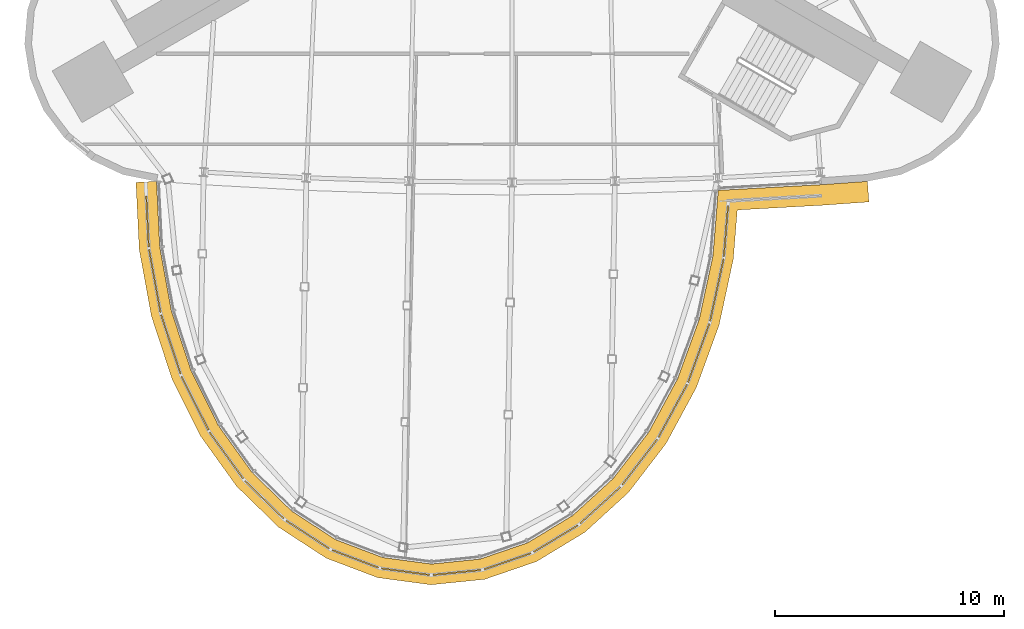
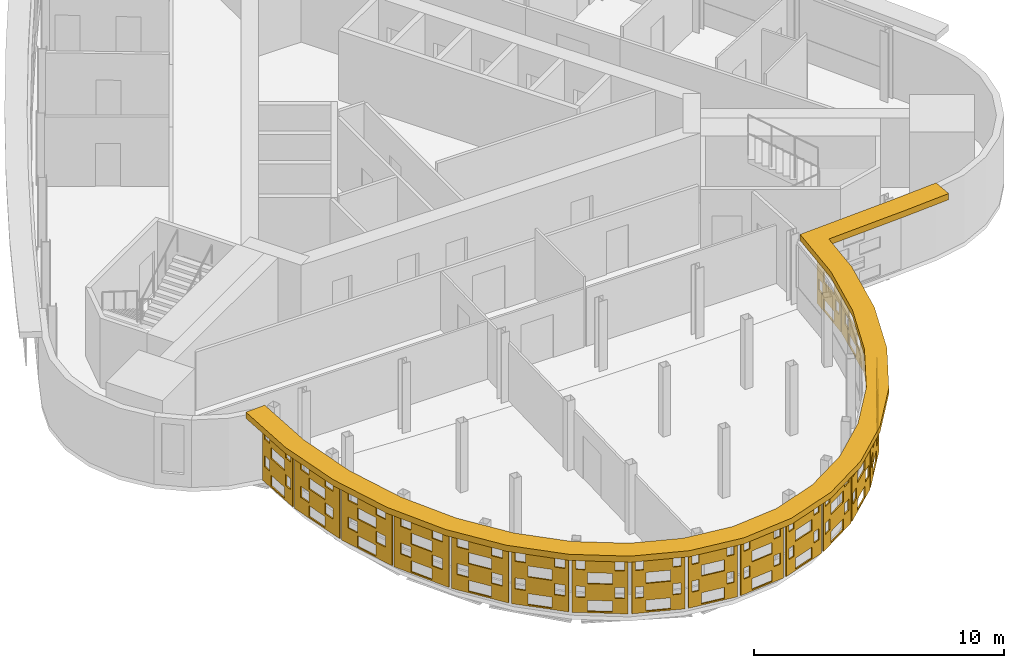
# One storey, part 12 of 14: 19 shading devices.
"""IFC4 building model written with IfcOpenShell, lengths in metres."""

from ifc_helpers import new_model, si_unit, direction, frame, origin, place, context, subcontext, project, spatial, polyline, outline, extrude, material, layer, layer_set, type_object, element, save


model = new_model("IFC4")

# Units and contexts
model_context = context("Model", 3, precision=1e-05, world=origin(), true_north=direction((0.0, 1.0)))
body_context = subcontext(model_context, "Body", "Model", "MODEL_VIEW")
ifc_project = project(units=[si_unit("LENGTHUNIT", "METRE"), si_unit("AREAUNIT", "SQUARE_METRE"), si_unit("VOLUMEUNIT", "CUBIC_METRE"), si_unit("PLANEANGLEUNIT", "RADIAN"), si_unit("MASSUNIT", "GRAM", prefix="KILO")], contexts=[model_context])

# Site, building, storey
site_placement = place(None, origin())
site = spatial("IfcSite", under=ifc_project, at=site_placement, CompositionType="ELEMENT")
building_placement = place(site_placement, origin())
building = spatial("IfcBuilding", under=site, at=building_placement, Name="Noor Cloister Tower", CompositionType="ELEMENT")
storey_placement = place(building_placement, frame((0.0, 0.0, 218.39990234375)))
storey = spatial("IfcBuildingStorey", under=building, at=storey_placement, Name="L56", CompositionType="ELEMENT", Elevation=218.39990234375)

# Shading devices
ifc_material_1 = material(Name="Limestone", Category="masonry")
ifc_layer = layer(ifc_material_1, 0.06005859375)
ifc_layer_set = layer_set([ifc_layer], Name="SCREEN woven limestone pod 35 percent open")
shading_device_type_1 = type_object("IfcShadingDeviceType", Name="SCREEN woven limestone pod 35 percent open", PredefinedType="USERDEFINED", material=ifc_layer_set)
shading_device_1_placement = place(storey_placement, frame((-15.8720703125, -16.65380859375, 1.85009765625), z_axis=(-0.998802653687, -0.048920946303, 0.0), x_axis=(0.048920946303, -0.998802653687, 0.0)))
element("IfcShadingDevice", 1, at=shading_device_1_placement, inside=storey, type_object=shading_device_type_1, Name="SCREEN L56 1", ObjectType="SCREEN", PredefinedType="USERDEFINED", context=body_context, shape_type="SweptSolid", body=[
    extrude(outline(polyline([(-1.11572265625, -1.35009765625), (1.11572265625, -1.35009765625), (1.11572265625, 1.35009765625), (-1.11572265625, 1.35009765625), (-1.11572265625, -1.35009765625)]), holes=[polyline([(-0.5, -1.282470703125), (0.5, -1.282470703125), (0.5, -0.742431640625), (-0.5, -0.742431640625), (-0.5, -1.282470703125)]), polyline([(0.60009765625, -0.607421875), (0.965576171875, -0.607421875), (0.965576171875, -0.0673828125), (0.60009765625, -0.0673828125), (0.60009765625, -0.607421875)]), polyline([(-0.965576171875, -0.607421875), (-0.60009765625, -0.607421875), (-0.60009765625, -0.0673828125), (-0.965576171875, -0.0673828125), (-0.965576171875, -0.607421875)]), polyline([(-0.5, 0.0673828125), (0.5, 0.0673828125), (0.5, 0.607421875), (-0.5, 0.607421875), (-0.5, 0.0673828125)]), polyline([(0.60009765625, 0.742431640625), (0.965576171875, 0.742431640625), (0.965576171875, 1.282470703125), (0.60009765625, 1.282470703125), (0.60009765625, 0.742431640625)]), polyline([(-0.965576171875, 0.742431640625), (-0.60009765625, 0.742431640625), (-0.60009765625, 1.282470703125), (-0.965576171875, 1.282470703125), (-0.965576171875, 0.742431640625)])]), origin(), (0.0, 0.0, 1.0), 0.059814453125),
])
shading_device_2_placement = place(storey_placement, frame((-15.5556640625, -19.240234375, 1.85009765625), z_axis=(-0.9838699101, -0.1788854382, 0.0), x_axis=(0.1788854382, -0.9838699101, 0.0)))
element("IfcShadingDevice", 2, at=shading_device_2_placement, inside=storey, type_object=shading_device_type_1, Name="SCREEN L56 2", ObjectType="SCREEN", PredefinedType="USERDEFINED", context=body_context, shape_type="SweptSolid", body=[
    extrude(outline(polyline([(-1.396240234375, -1.35009765625), (1.396240234375, -1.35009765625), (1.396240234375, 1.35009765625), (-1.396240234375, 1.35009765625), (-1.396240234375, -1.35009765625)]), holes=[polyline([(-0.5, -1.282470703125), (0.5, -1.282470703125), (0.5, -0.742431640625), (-0.5, -0.742431640625), (-0.5, -1.282470703125)]), polyline([(-1.0, -0.607421875), (-0.5, -0.607421875), (-0.5, -0.0673828125), (-1.0, -0.0673828125), (-1.0, -0.607421875)]), polyline([(0.5, -0.607421875), (1.0, -0.607421875), (1.0, -0.0673828125), (0.5, -0.0673828125), (0.5, -0.607421875)]), polyline([(-0.5, 0.0673828125), (0.5, 0.0673828125), (0.5, 0.607421875), (-0.5, 0.607421875), (-0.5, 0.0673828125)]), polyline([(-1.0, 0.742431640625), (-0.5, 0.742431640625), (-0.5, 1.282470703125), (-1.0, 1.282470703125), (-1.0, 0.742431640625)]), polyline([(0.5, 0.742431640625), (1.0, 0.742431640625), (1.0, 1.282470703125), (0.5, 1.282470703125), (0.5, 0.742431640625)])]), origin(), (0.0, 0.0, 1.0), 0.06005859375),
])
shading_device_3_placement = place(storey_placement, frame((-14.85595703125, -22.00341796875, 1.85009765625), z_axis=(-0.949894076132, -0.312571982317, 0.0), x_axis=(0.312571982317, -0.949894076132, 0.0)))
element("IfcShadingDevice", 3, at=shading_device_3_placement, inside=storey, type_object=shading_device_type_1, Name="SCREEN L56 3", ObjectType="SCREEN", PredefinedType="USERDEFINED", context=body_context, shape_type="SweptSolid", body=[
    extrude(outline(polyline([(-1.359375, -1.35009765625), (1.359375, -1.35009765625), (1.359375, 1.35009765625), (-1.359375, 1.35009765625), (-1.359375, -1.35009765625)]), holes=[polyline([(-0.5, -1.282470703125), (0.5, -1.282470703125), (0.5, -0.742431640625), (-0.5, -0.742431640625), (-0.5, -1.282470703125)]), polyline([(-1.0, -0.607421875), (-0.5, -0.607421875), (-0.5, -0.0673828125), (-1.0, -0.0673828125), (-1.0, -0.607421875)]), polyline([(0.5, -0.607421875), (1.0, -0.607421875), (1.0, -0.0673828125), (0.5, -0.0673828125), (0.5, -0.607421875)]), polyline([(-0.5, 0.0673828125), (0.5, 0.0673828125), (0.5, 0.607421875), (-0.5, 0.607421875), (-0.5, 0.0673828125)]), polyline([(-1.0, 0.742431640625), (-0.5, 0.742431640625), (-0.5, 1.282470703125), (-1.0, 1.282470703125), (-1.0, 0.742431640625)]), polyline([(0.5, 0.742431640625), (1.0, 0.742431640625), (1.0, 1.282470703125), (0.5, 1.282470703125), (0.5, 0.742431640625)])]), origin(), (0.0, 0.0, 1.0), 0.06005859375),
])
shading_device_4_placement = place(storey_placement, frame((-13.80712890625, -24.562255859375, 1.85009765625), z_axis=(-0.893609619956, -0.44884501459, 0.0), x_axis=(0.44884501459, -0.893609619956, 0.0)))
element("IfcShadingDevice", 4, at=shading_device_4_placement, inside=storey, type_object=shading_device_type_1, Name="SCREEN L56 4", ObjectType="SCREEN", PredefinedType="USERDEFINED", context=body_context, shape_type="SweptSolid", body=[
    extrude(outline(polyline([(-1.307861328125, -1.35009765625), (1.307861328125, -1.35009765625), (1.307861328125, 1.35009765625), (-1.307861328125, 1.35009765625), (-1.307861328125, -1.35009765625)]), holes=[polyline([(-0.5, -1.282470703125), (0.5, -1.282470703125), (0.5, -0.742431640625), (-0.5, -0.742431640625), (-0.5, -1.282470703125)]), polyline([(-1.0, -0.607421875), (-0.5, -0.607421875), (-0.5, -0.0673828125), (-1.0, -0.0673828125), (-1.0, -0.607421875)]), polyline([(0.5, -0.607421875), (1.0, -0.607421875), (1.0, -0.0673828125), (0.5, -0.0673828125), (0.5, -0.607421875)]), polyline([(-0.5, 0.0673828125), (0.5, 0.0673828125), (0.5, 0.607421875), (-0.5, 0.607421875), (-0.5, 0.0673828125)]), polyline([(-1.0, 0.742431640625), (-0.5, 0.742431640625), (-0.5, 1.282470703125), (-1.0, 1.282470703125), (-1.0, 0.742431640625)]), polyline([(0.5, 0.742431640625), (1.0, 0.742431640625), (1.0, 1.282470703125), (0.5, 1.282470703125), (0.5, 0.742431640625)])]), origin(), (0.0, 0.0, 1.0), 0.059814453125),
])
shading_device_5_placement = place(storey_placement, frame((-12.437744140625, -26.840087890625, 1.85009765625), z_axis=(-0.81014213461, -0.586233504441, 0.0), x_axis=(0.586233504441, -0.81014213461, 0.0)))
element("IfcShadingDevice", 5, at=shading_device_5_placement, inside=storey, type_object=shading_device_type_1, Name="SCREEN L56 5", ObjectType="SCREEN", PredefinedType="USERDEFINED", context=body_context, shape_type="SweptSolid", body=[
    extrude(outline(polyline([(-1.24658203125, -1.35009765625), (1.24658203125, -1.35009765625), (1.24658203125, 1.35009765625), (-1.24658203125, 1.35009765625), (-1.24658203125, -1.35009765625)]), holes=[polyline([(-0.5, -1.282470703125), (0.5, -1.282470703125), (0.5, -0.742431640625), (-0.5, -0.742431640625), (-0.5, -1.282470703125)]), polyline([(-1.0, -0.607421875), (-0.5, -0.607421875), (-0.5, -0.0673828125), (-1.0, -0.0673828125), (-1.0, -0.607421875)]), polyline([(0.5, -0.607421875), (1.0, -0.607421875), (1.0, -0.0673828125), (0.5, -0.0673828125), (0.5, -0.607421875)]), polyline([(-0.5, 0.0673828125), (0.5, 0.0673828125), (0.5, 0.607421875), (-0.5, 0.607421875), (-0.5, 0.0673828125)]), polyline([(-1.0, 0.742431640625), (-0.5, 0.742431640625), (-0.5, 1.282470703125), (-1.0, 1.282470703125), (-1.0, 0.742431640625)]), polyline([(0.5, 0.742431640625), (1.0, 0.742431640625), (1.0, 1.282470703125), (0.5, 1.282470703125), (0.5, 0.742431640625)])]), origin(), (0.0, 0.0, 1.0), 0.06005859375),
])
shading_device_6_placement = place(storey_placement, frame((-10.785888671875, -28.767822265625, 1.85009765625), z_axis=(-0.696845584905, -0.717221186803, 0.0), x_axis=(0.717221186803, -0.696845584905, 0.0)))
element("IfcShadingDevice", 6, at=shading_device_6_placement, inside=storey, type_object=shading_device_type_1, Name="SCREEN L56 6", ObjectType="SCREEN", PredefinedType="USERDEFINED", context=body_context, shape_type="SweptSolid", body=[
    extrude(outline(polyline([(-1.182373046875, -1.35009765625), (1.182373046875, -1.35009765625), (1.182373046875, 1.35009765625), (-1.182373046875, 1.35009765625), (-1.182373046875, -1.35009765625)]), holes=[polyline([(-0.5, -1.282470703125), (0.5, -1.282470703125), (0.5, -0.742431640625), (-0.5, -0.742431640625), (-0.5, -1.282470703125)]), polyline([(0.60009765625, -0.607421875), (1.032470703125, -0.607421875), (1.032470703125, -0.0673828125), (0.60009765625, -0.0673828125), (0.60009765625, -0.607421875)]), polyline([(-1.032470703125, -0.607421875), (-0.60009765625, -0.607421875), (-0.60009765625, -0.0673828125), (-1.032470703125, -0.0673828125), (-1.032470703125, -0.607421875)]), polyline([(-0.5, 0.0673828125), (0.5, 0.0673828125), (0.5, 0.607421875), (-0.5, 0.607421875), (-0.5, 0.0673828125)]), polyline([(0.60009765625, 0.742431640625), (1.032470703125, 0.742431640625), (1.032470703125, 1.282470703125), (0.60009765625, 1.282470703125), (0.60009765625, 0.742431640625)]), polyline([(-1.032470703125, 0.742431640625), (-0.60009765625, 0.742431640625), (-0.60009765625, 1.282470703125), (-1.032470703125, 1.282470703125), (-1.032470703125, 0.742431640625)])]), origin(), (0.0, 0.0, 1.0), 0.059814453125),
])
shading_device_7_placement = place(storey_placement, frame((-8.897705078125, -30.284423828125, 1.85009765625), z_axis=(-0.545274379459, -0.838257628123, 0.0), x_axis=(0.838257628123, -0.545274379459, 0.0)))
element("IfcShadingDevice", 7, at=shading_device_7_placement, inside=storey, type_object=shading_device_type_1, Name="SCREEN L56 7", ObjectType="SCREEN", PredefinedType="USERDEFINED", context=body_context, shape_type="SweptSolid", body=[
    extrude(outline(polyline([(-1.122802734375, -1.35009765625), (1.122802734375, -1.35009765625), (1.122802734375, 1.35009765625), (-1.122802734375, 1.35009765625), (-1.122802734375, -1.35009765625)]), holes=[polyline([(-0.5, -1.282470703125), (0.5, -1.282470703125), (0.5, -0.742431640625), (-0.5, -0.742431640625), (-0.5, -1.282470703125)]), polyline([(0.60009765625, -0.607421875), (0.972900390625, -0.607421875), (0.972900390625, -0.0673828125), (0.60009765625, -0.0673828125), (0.60009765625, -0.607421875)]), polyline([(-0.972900390625, -0.607421875), (-0.60009765625, -0.607421875), (-0.60009765625, -0.0673828125), (-0.972900390625, -0.0673828125), (-0.972900390625, -0.607421875)]), polyline([(-0.5, 0.0673828125), (0.5, 0.0673828125), (0.5, 0.607421875), (-0.5, 0.607421875), (-0.5, 0.0673828125)]), polyline([(0.60009765625, 0.742431640625), (0.972900390625, 0.742431640625), (0.972900390625, 1.282470703125), (0.60009765625, 1.282470703125), (0.60009765625, 0.742431640625)]), polyline([(-0.972900390625, 0.742431640625), (-0.60009765625, 0.742431640625), (-0.60009765625, 1.282470703125), (-0.972900390625, 1.282470703125), (-0.972900390625, 0.742431640625)])]), origin(), (0.0, 0.0, 1.0), 0.06005859375),
])
shading_device_8_placement = place(storey_placement, frame((-6.828369140625, -31.340087890625, 1.85009765625), z_axis=(-0.355146418402, -0.934810687517, 0.0), x_axis=(0.934810687517, -0.355146418402, 0.0)))
element("IfcShadingDevice", 8, at=shading_device_8_placement, inside=storey, type_object=shading_device_type_1, Name="SCREEN L56 8", ObjectType="SCREEN", PredefinedType="USERDEFINED", context=body_context, shape_type="SweptSolid", body=[
    extrude(outline(polyline([(-1.07666015625, -1.35009765625), (1.07666015625, -1.35009765625), (1.07666015625, 1.35009765625), (-1.07666015625, 1.35009765625), (-1.07666015625, -1.35009765625)]), holes=[polyline([(-0.5, -1.282470703125), (0.5, -1.282470703125), (0.5, -0.742431640625), (-0.5, -0.742431640625), (-0.5, -1.282470703125)]), polyline([(0.60009765625, -0.607421875), (0.9267578125, -0.607421875), (0.9267578125, -0.0673828125), (0.60009765625, -0.0673828125), (0.60009765625, -0.607421875)]), polyline([(-0.9267578125, -0.607421875), (-0.60009765625, -0.607421875), (-0.60009765625, -0.0673828125), (-0.9267578125, -0.0673828125), (-0.9267578125, -0.607421875)]), polyline([(-0.5, 0.0673828125), (0.5, 0.0673828125), (0.5, 0.607421875), (-0.5, 0.607421875), (-0.5, 0.0673828125)]), polyline([(0.60009765625, 0.742431640625), (0.9267578125, 0.742431640625), (0.9267578125, 1.282470703125), (0.60009765625, 1.282470703125), (0.60009765625, 0.742431640625)]), polyline([(-0.9267578125, 0.742431640625), (-0.60009765625, 0.742431640625), (-0.60009765625, 1.282470703125), (-0.9267578125, 1.282470703125), (-0.9267578125, 0.742431640625)])]), origin(), (0.0, 0.0, 1.0), 0.059814453125),
])
shading_device_9_placement = place(storey_placement, frame((-4.641357421875, -31.896240234375, 1.85009765625), z_axis=(-0.134025693798, -0.99097785717, 0.0), x_axis=(0.99097785717, -0.134025693798, 0.0)))
element("IfcShadingDevice", 9, at=shading_device_9_placement, inside=storey, type_object=shading_device_type_1, Name="SCREEN L56 9", ObjectType="SCREEN", PredefinedType="USERDEFINED", context=body_context, shape_type="SweptSolid", body=[
    extrude(outline(polyline([(-1.05126953125, -1.35009765625), (1.05126953125, -1.35009765625), (1.05126953125, 1.35009765625), (-1.05126953125, 1.35009765625), (-1.05126953125, -1.35009765625)]), holes=[polyline([(-0.5, -1.282470703125), (0.5, -1.282470703125), (0.5, -0.742431640625), (-0.5, -0.742431640625), (-0.5, -1.282470703125)]), polyline([(0.60009765625, -0.607421875), (0.9013671875, -0.607421875), (0.9013671875, -0.0673828125), (0.60009765625, -0.0673828125), (0.60009765625, -0.607421875)]), polyline([(-0.9013671875, -0.607421875), (-0.60009765625, -0.607421875), (-0.60009765625, -0.0673828125), (-0.9013671875, -0.0673828125), (-0.9013671875, -0.607421875)]), polyline([(-0.5, 0.0673828125), (0.5, 0.0673828125), (0.5, 0.607421875), (-0.5, 0.607421875), (-0.5, 0.0673828125)]), polyline([(0.60009765625, 0.742431640625), (0.9013671875, 0.742431640625), (0.9013671875, 1.282470703125), (0.60009765625, 1.282470703125), (0.60009765625, 0.742431640625)]), polyline([(-0.9013671875, 0.742431640625), (-0.60009765625, 0.742431640625), (-0.60009765625, 1.282470703125), (-0.9013671875, 1.282470703125), (-0.9013671875, 0.742431640625)])]), origin(), (0.0, 0.0, 1.0), 0.06005859375),
])
shading_device_10_placement = place(storey_placement, frame((-2.408447265625, -31.93212890625, 1.85009765625), z_axis=(0.101925414299, -0.994792043555, 0.0), x_axis=(0.994792043555, 0.101925414299, 0.0)))
element("IfcShadingDevice", 10, at=shading_device_10_placement, inside=storey, type_object=shading_device_type_1, Name="SCREEN L56 10", ObjectType="SCREEN", PredefinedType="USERDEFINED", context=body_context, shape_type="SweptSolid", body=[
    extrude(outline(polyline([(-1.05126953125, -1.35009765625), (1.05126953125, -1.35009765625), (1.05126953125, 1.35009765625), (-1.05126953125, 1.35009765625), (-1.05126953125, -1.35009765625)]), holes=[polyline([(-0.5, -1.282470703125), (0.5, -1.282470703125), (0.5, -0.742431640625), (-0.5, -0.742431640625), (-0.5, -1.282470703125)]), polyline([(0.60009765625, -0.607421875), (0.9013671875, -0.607421875), (0.9013671875, -0.0673828125), (0.60009765625, -0.0673828125), (0.60009765625, -0.607421875)]), polyline([(-0.9013671875, -0.607421875), (-0.60009765625, -0.607421875), (-0.60009765625, -0.0673828125), (-0.9013671875, -0.0673828125), (-0.9013671875, -0.607421875)]), polyline([(-0.5, 0.0673828125), (0.5, 0.0673828125), (0.5, 0.607421875), (-0.5, 0.607421875), (-0.5, 0.0673828125)]), polyline([(0.60009765625, 0.742431640625), (0.9013671875, 0.742431640625), (0.9013671875, 1.282470703125), (0.60009765625, 1.282470703125), (0.60009765625, 0.742431640625)]), polyline([(-0.9013671875, 0.742431640625), (-0.60009765625, 0.742431640625), (-0.60009765625, 1.282470703125), (-0.9013671875, 1.282470703125), (-0.9013671875, 0.742431640625)])]), origin(), (0.0, 0.0, 1.0), 0.059814453125),
])
shading_device_11_placement = place(storey_placement, frame((-0.204833984375, -31.4462890625, 1.85009765625), z_axis=(0.325990683319, -0.945372981626, 0.0), x_axis=(0.945372981626, 0.325990683319, 0.0)))
element("IfcShadingDevice", 11, at=shading_device_11_placement, inside=storey, type_object=shading_device_type_1, Name="SCREEN L56 11", ObjectType="SCREEN", PredefinedType="USERDEFINED", context=body_context, shape_type="SweptSolid", body=[
    extrude(outline(polyline([(-1.07666015625, -1.35009765625), (1.07666015625, -1.35009765625), (1.07666015625, 1.35009765625), (-1.07666015625, 1.35009765625), (-1.07666015625, -1.35009765625)]), holes=[polyline([(-0.5, -1.282470703125), (0.5, -1.282470703125), (0.5, -0.742431640625), (-0.5, -0.742431640625), (-0.5, -1.282470703125)]), polyline([(0.60009765625, -0.607421875), (0.9267578125, -0.607421875), (0.9267578125, -0.0673828125), (0.60009765625, -0.0673828125), (0.60009765625, -0.607421875)]), polyline([(-0.9267578125, -0.607421875), (-0.60009765625, -0.607421875), (-0.60009765625, -0.0673828125), (-0.9267578125, -0.0673828125), (-0.9267578125, -0.607421875)]), polyline([(-0.5, 0.0673828125), (0.5, 0.0673828125), (0.5, 0.607421875), (-0.5, 0.607421875), (-0.5, 0.0673828125)]), polyline([(0.60009765625, 0.742431640625), (0.9267578125, 0.742431640625), (0.9267578125, 1.282470703125), (0.60009765625, 1.282470703125), (0.60009765625, 0.742431640625)]), polyline([(-0.9267578125, 0.742431640625), (-0.60009765625, 0.742431640625), (-0.60009765625, 1.282470703125), (-0.9267578125, 1.282470703125), (-0.9267578125, 0.742431640625)])]), origin(), (0.0, 0.0, 1.0), 0.059814453125),
])
shading_device_12_placement = place(storey_placement, frame((1.8974609375, -30.457763671875, 1.85009765625), z_axis=(0.517488728384, -0.855690023312, 0.0), x_axis=(0.855690023312, 0.517488728384, 0.0)))
element("IfcShadingDevice", 12, at=shading_device_12_placement, inside=storey, type_object=shading_device_type_1, Name="SCREEN L56 12", ObjectType="SCREEN", PredefinedType="USERDEFINED", context=body_context, shape_type="SweptSolid", body=[
    extrude(outline(polyline([(-1.122802734375, -1.35009765625), (1.122802734375, -1.35009765625), (1.122802734375, 1.35009765625), (-1.122802734375, 1.35009765625), (-1.122802734375, -1.35009765625)]), holes=[polyline([(-0.5, -1.282470703125), (0.5, -1.282470703125), (0.5, -0.742431640625), (-0.5, -0.742431640625), (-0.5, -1.282470703125)]), polyline([(0.60009765625, -0.607421875), (0.972900390625, -0.607421875), (0.972900390625, -0.0673828125), (0.60009765625, -0.0673828125), (0.60009765625, -0.607421875)]), polyline([(-0.972900390625, -0.607421875), (-0.60009765625, -0.607421875), (-0.60009765625, -0.0673828125), (-0.972900390625, -0.0673828125), (-0.972900390625, -0.607421875)]), polyline([(-0.5, 0.0673828125), (0.5, 0.0673828125), (0.5, 0.607421875), (-0.5, 0.607421875), (-0.5, 0.0673828125)]), polyline([(0.60009765625, 0.742431640625), (0.972900390625, 0.742431640625), (0.972900390625, 1.282470703125), (0.60009765625, 1.282470703125), (0.60009765625, 0.742431640625)]), polyline([(-0.972900390625, 0.742431640625), (-0.60009765625, 0.742431640625), (-0.60009765625, 1.282470703125), (-0.972900390625, 1.282470703125), (-0.972900390625, 0.742431640625)])]), origin(), (0.0, 0.0, 1.0), 0.059814453125),
])
shading_device_13_placement = place(storey_placement, frame((3.833251953125, -29.002197265625, 1.85009765625), z_axis=(0.671659103057, -0.740860343979, 0.0), x_axis=(0.740860343979, 0.671659103057, 0.0)))
element("IfcShadingDevice", 13, at=shading_device_13_placement, inside=storey, type_object=shading_device_type_1, Name="SCREEN L56 13", ObjectType="SCREEN", PredefinedType="USERDEFINED", context=body_context, shape_type="SweptSolid", body=[
    extrude(outline(polyline([(-1.182373046875, -1.35009765625), (1.182373046875, -1.35009765625), (1.182373046875, 1.35009765625), (-1.182373046875, 1.35009765625), (-1.182373046875, -1.35009765625)]), holes=[polyline([(-0.5, -1.282470703125), (0.5, -1.282470703125), (0.5, -0.742431640625), (-0.5, -0.742431640625), (-0.5, -1.282470703125)]), polyline([(0.60009765625, -0.607421875), (1.032470703125, -0.607421875), (1.032470703125, -0.0673828125), (0.60009765625, -0.0673828125), (0.60009765625, -0.607421875)]), polyline([(-1.032470703125, -0.607421875), (-0.60009765625, -0.607421875), (-0.60009765625, -0.0673828125), (-1.032470703125, -0.0673828125), (-1.032470703125, -0.607421875)]), polyline([(-0.5, 0.0673828125), (0.5, 0.0673828125), (0.5, 0.607421875), (-0.5, 0.607421875), (-0.5, 0.0673828125)]), polyline([(0.60009765625, 0.742431640625), (1.032470703125, 0.742431640625), (1.032470703125, 1.282470703125), (0.60009765625, 1.282470703125), (0.60009765625, 0.742431640625)]), polyline([(-1.032470703125, 0.742431640625), (-0.60009765625, 0.742431640625), (-0.60009765625, 1.282470703125), (-1.032470703125, 1.282470703125), (-1.032470703125, 0.742431640625)])]), origin(), (0.0, 0.0, 1.0), 0.06005859375),
])
shading_device_14_placement = place(storey_placement, frame((5.5458984375, -27.128662109375, 1.85009765625), z_axis=(0.792623989105, -0.60971076085, 0.0), x_axis=(0.60971076085, 0.792623989105, 0.0)))
element("IfcShadingDevice", 14, at=shading_device_14_placement, inside=storey, type_object=shading_device_type_1, Name="SCREEN L56 14", ObjectType="SCREEN", PredefinedType="USERDEFINED", context=body_context, shape_type="SweptSolid", body=[
    extrude(outline(polyline([(-1.24658203125, -1.35009765625), (1.24658203125, -1.35009765625), (1.24658203125, 1.35009765625), (-1.24658203125, 1.35009765625), (-1.24658203125, -1.35009765625)]), holes=[polyline([(-0.5, -1.282470703125), (0.5, -1.282470703125), (0.5, -0.742431640625), (-0.5, -0.742431640625), (-0.5, -1.282470703125)]), polyline([(-1.0, -0.607421875), (-0.5, -0.607421875), (-0.5, -0.0673828125), (-1.0, -0.0673828125), (-1.0, -0.607421875)]), polyline([(0.5, -0.607421875), (1.0, -0.607421875), (1.0, -0.0673828125), (0.5, -0.0673828125), (0.5, -0.607421875)]), polyline([(-0.5, 0.0673828125), (0.5, 0.0673828125), (0.5, 0.607421875), (-0.5, 0.607421875), (-0.5, 0.0673828125)]), polyline([(-1.0, 0.742431640625), (-0.5, 0.742431640625), (-0.5, 1.282470703125), (-1.0, 1.282470703125), (-1.0, 0.742431640625)]), polyline([(0.5, 0.742431640625), (1.0, 0.742431640625), (1.0, 1.282470703125), (0.5, 1.282470703125), (0.5, 0.742431640625)])]), origin(), (0.0, 0.0, 1.0), 0.06005859375),
])
shading_device_15_placement = place(storey_placement, frame((6.98779296875, -24.89599609375, 1.85009765625), z_axis=(0.879291966537, -0.476283148541, 0.0), x_axis=(0.476283148541, 0.879291966537, 0.0)))
element("IfcShadingDevice", 15, at=shading_device_15_placement, inside=storey, type_object=shading_device_type_1, Name="SCREEN L56 15", ObjectType="SCREEN", PredefinedType="USERDEFINED", context=body_context, shape_type="SweptSolid", body=[
    extrude(outline(polyline([(-1.307861328125, -1.35009765625), (1.307861328125, -1.35009765625), (1.307861328125, 1.35009765625), (-1.307861328125, 1.35009765625), (-1.307861328125, -1.35009765625)]), holes=[polyline([(-0.5, -1.282470703125), (0.5, -1.282470703125), (0.5, -0.742431640625), (-0.5, -0.742431640625), (-0.5, -1.282470703125)]), polyline([(-1.0, -0.607421875), (-0.5, -0.607421875), (-0.5, -0.0673828125), (-1.0, -0.0673828125), (-1.0, -0.607421875)]), polyline([(0.5, -0.607421875), (1.0, -0.607421875), (1.0, -0.0673828125), (0.5, -0.0673828125), (0.5, -0.607421875)]), polyline([(-0.5, 0.0673828125), (0.5, 0.0673828125), (0.5, 0.607421875), (-0.5, 0.607421875), (-0.5, 0.0673828125)]), polyline([(-1.0, 0.742431640625), (-0.5, 0.742431640625), (-0.5, 1.282470703125), (-1.0, 1.282470703125), (-1.0, 0.742431640625)]), polyline([(0.5, 0.742431640625), (1.0, 0.742431640625), (1.0, 1.282470703125), (0.5, 1.282470703125), (0.5, 0.742431640625)])]), origin(), (0.0, 0.0, 1.0), 0.06005859375),
])
shading_device_16_placement = place(storey_placement, frame((8.1181640625, -22.3720703125, 1.85009765625), z_axis=(0.939793423488, -0.341743063087, 0.0), x_axis=(0.341743063087, 0.939793423488, 0.0)))
element("IfcShadingDevice", 16, at=shading_device_16_placement, inside=storey, type_object=shading_device_type_1, Name="SCREEN L56 16", ObjectType="SCREEN", PredefinedType="USERDEFINED", context=body_context, shape_type="SweptSolid", body=[
    extrude(outline(polyline([(-1.359375, -1.35009765625), (1.359375, -1.35009765625), (1.359375, 1.35009765625), (-1.359375, 1.35009765625), (-1.359375, -1.35009765625)]), holes=[polyline([(-0.5, -1.282470703125), (0.5, -1.282470703125), (0.5, -0.742431640625), (-0.5, -0.742431640625), (-0.5, -1.282470703125)]), polyline([(-1.0, -0.607421875), (-0.5, -0.607421875), (-0.5, -0.0673828125), (-1.0, -0.0673828125), (-1.0, -0.607421875)]), polyline([(0.5, -0.607421875), (1.0, -0.607421875), (1.0, -0.0673828125), (0.5, -0.0673828125), (0.5, -0.607421875)]), polyline([(-0.5, 0.0673828125), (0.5, 0.0673828125), (0.5, 0.607421875), (-0.5, 0.607421875), (-0.5, 0.0673828125)]), polyline([(-1.0, 0.742431640625), (-0.5, 0.742431640625), (-0.5, 1.282470703125), (-1.0, 1.282470703125), (-1.0, 0.742431640625)]), polyline([(0.5, 0.742431640625), (1.0, 0.742431640625), (1.0, 1.282470703125), (0.5, 1.282470703125), (0.5, 0.742431640625)])]), origin(), (0.0, 0.0, 1.0), 0.06005859375),
])
shading_device_17_placement = place(storey_placement, frame((8.90625, -19.632568359375, 1.85009765625), z_axis=(0.977323140027, -0.211753347006, 0.0), x_axis=(0.211753347006, 0.977323140027, 0.0)))
element("IfcShadingDevice", 17, at=shading_device_17_placement, inside=storey, type_object=shading_device_type_1, Name="SCREEN L56 17", ObjectType="SCREEN", PredefinedType="USERDEFINED", context=body_context, shape_type="SweptSolid", body=[
    extrude(outline(polyline([(-1.396240234375, -1.35009765625), (1.396240234375, -1.35009765625), (1.396240234375, 1.35009765625), (-1.396240234375, 1.35009765625), (-1.396240234375, -1.35009765625)]), holes=[polyline([(-0.5, -1.282470703125), (0.5, -1.282470703125), (0.5, -0.742431640625), (-0.5, -0.742431640625), (-0.5, -1.282470703125)]), polyline([(-1.0, -0.607421875), (-0.5, -0.607421875), (-0.5, -0.0673828125), (-1.0, -0.0673828125), (-1.0, -0.607421875)]), polyline([(0.5, -0.607421875), (1.0, -0.607421875), (1.0, -0.0673828125), (0.5, -0.0673828125), (0.5, -0.607421875)]), polyline([(-0.5, 0.0673828125), (0.5, 0.0673828125), (0.5, 0.607421875), (-0.5, 0.607421875), (-0.5, 0.0673828125)]), polyline([(-1.0, 0.742431640625), (-0.5, 0.742431640625), (-0.5, 1.282470703125), (-1.0, 1.282470703125), (-1.0, 0.742431640625)]), polyline([(0.5, 0.742431640625), (1.0, 0.742431640625), (1.0, 1.282470703125), (0.5, 1.282470703125), (0.5, 0.742431640625)])]), origin(), (0.0, 0.0, 1.0), 0.06005859375),
])
shading_device_18_placement = place(storey_placement, frame((9.30517578125, -17.0576171875, 1.85009765625), z_axis=(0.996684615823, -0.081362009455, 0.0), x_axis=(0.081362009455, 0.996684615823, 0.0)))
element("IfcShadingDevice", 18, at=shading_device_18_placement, inside=storey, type_object=shading_device_type_1, Name="SCREEN L56 18", ObjectType="SCREEN", PredefinedType="USERDEFINED", context=body_context, shape_type="SweptSolid", body=[
    extrude(outline(polyline([(-1.11572265625, -1.35009765625), (1.11572265625, -1.35009765625), (1.11572265625, 1.35009765625), (-1.11572265625, 1.35009765625), (-1.11572265625, -1.35009765625)]), holes=[polyline([(-0.5, -1.282470703125), (0.5, -1.282470703125), (0.5, -0.742431640625), (-0.5, -0.742431640625), (-0.5, -1.282470703125)]), polyline([(0.60009765625, -0.607421875), (0.965576171875, -0.607421875), (0.965576171875, -0.0673828125), (0.60009765625, -0.0673828125), (0.60009765625, -0.607421875)]), polyline([(-0.965576171875, -0.607421875), (-0.60009765625, -0.607421875), (-0.60009765625, -0.0673828125), (-0.965576171875, -0.0673828125), (-0.965576171875, -0.607421875)]), polyline([(-0.5, 0.0673828125), (0.5, 0.0673828125), (0.5, 0.607421875), (-0.5, 0.607421875), (-0.5, 0.0673828125)]), polyline([(0.60009765625, 0.742431640625), (0.965576171875, 0.742431640625), (0.965576171875, 1.282470703125), (0.60009765625, 1.282470703125), (0.60009765625, 0.742431640625)]), polyline([(-0.965576171875, 0.742431640625), (-0.60009765625, 0.742431640625), (-0.60009765625, 1.282470703125), (-0.965576171875, 1.282470703125), (-0.965576171875, 0.742431640625)])]), origin(), (0.0, 0.0, 1.0), 0.06005859375),
])
ifc_material_2 = material(Name="Limestone", Category="masonry")
shading_device_type_2 = type_object("IfcShadingDeviceType", Name="SUNSHADE limestone band 900", PredefinedType="USERDEFINED", material=ifc_material_2)
shading_device_19_placement = place(storey_placement, frame((0.0, 0.0, 3.300048828125)))
element("IfcShadingDevice", 19, at=shading_device_19_placement, inside=storey, type_object=shading_device_type_2, Name="SUNSHADE L56 2", ObjectType="SUNSHADE", PredefinedType="USERDEFINED", context=body_context, shape_type="SweptSolid", body=[
    extrude(outline(polyline([(-16.40625, -14.942138671875), (-16.26318359375, -17.869140625), (-15.733154296875, -20.77490234375), (-14.83251953125, -23.516845703125), (-13.583740234375, -26.015380859375), (-12.01806640625, -28.196044921875), (-10.175048828125, -29.990478515625), (-8.103759765625, -31.337646484375), (-5.865478515625, -32.18603515625), (-3.5341796875, -32.498779296875), (-1.1943359375, -32.260986328125), (1.070068359375, -31.48486328125), (3.18359375, -30.204833984375), (5.083251953125, -28.47021484375), (6.718017578125, -26.341064453125), (8.04638671875, -23.884033203125), (9.034423828125, -21.172119140625), (9.6572265625, -18.284912109375), (9.83056640625, -16.146484375), (13.547119140625, -15.940673828125), (15.571533203125, -15.7958984375), (15.50732421875, -14.898193359375), (13.489990234375, -15.04248046875), (8.9970703125, -15.291259765625), (8.764892578125, -18.153076171875), (8.167724609375, -20.922119140625), (7.22314453125, -23.513916015625), (5.96044921875, -25.85009765625), (4.417724609375, -27.859130859375), (2.641845703125, -29.480712890625), (0.686767578125, -30.6650390625), (-1.38818359375, -31.376220703125), (-3.519775390625, -31.5927734375), (-5.643310546875, -31.307861328125), (-7.6943359375, -30.530517578125), (-9.6103515625, -29.2841796875), (-11.333251953125, -27.6064453125), (-12.810791015625, -25.548828125), (-13.998046875, -23.173583984375), (-14.85888671875, -20.552734375), (-15.366943359375, -17.76611328125), (-15.50732421875, -14.898193359375), (-16.40625, -14.942138671875)])), origin(), (0.0, 0.0, 1.0), 0.300048828125),
])

save(model, "model.ifc")
